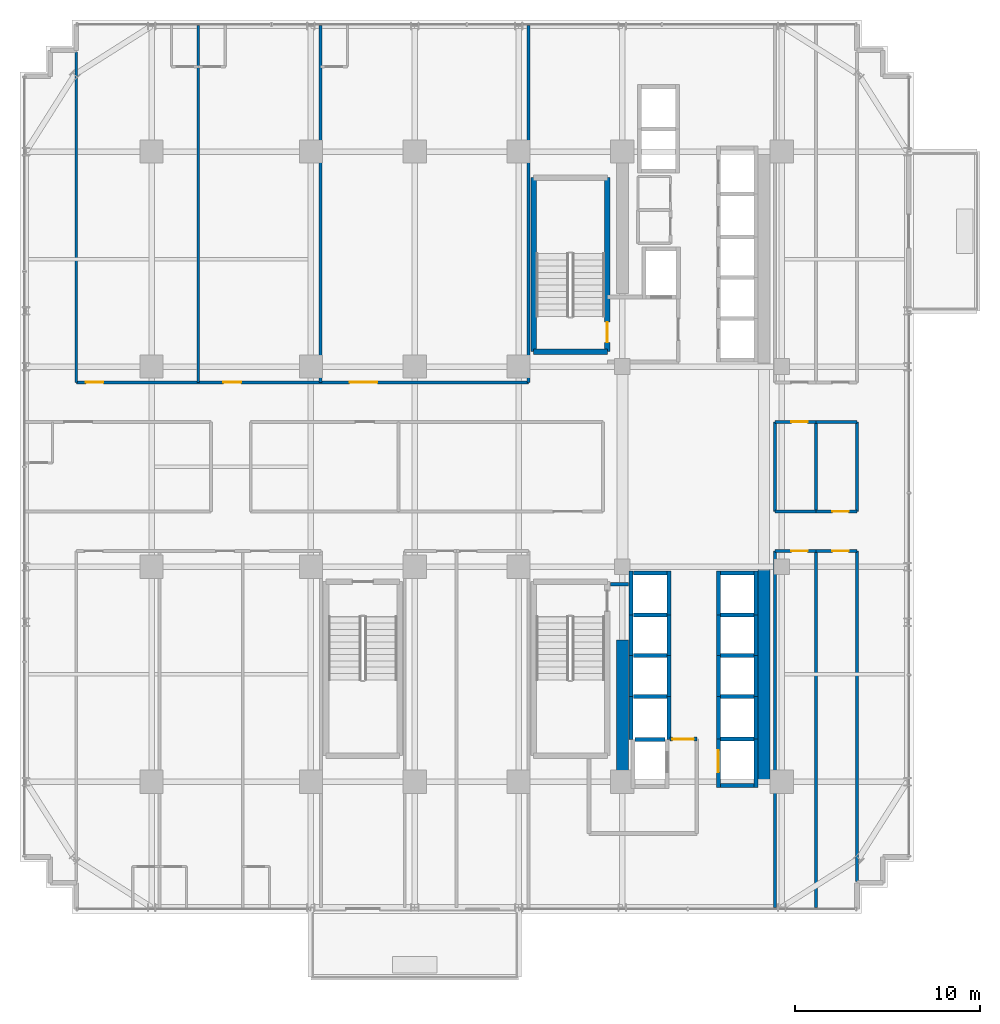
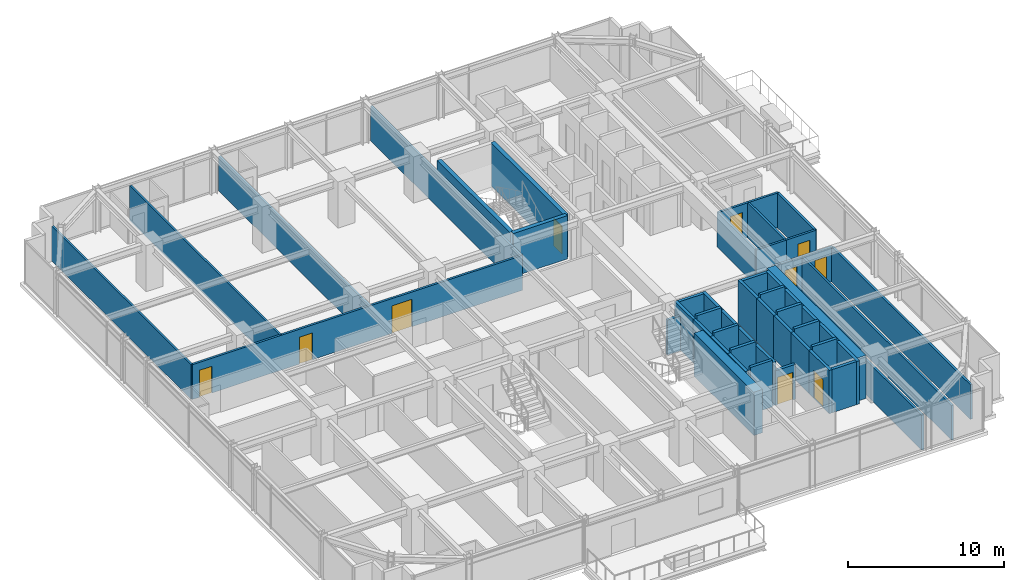
# One storey, part 28 of 33: 53 walls, 10 doors, 10 openings.
"""IFC4 building model written with IfcOpenShell, lengths in metres."""

import ifcopenshell
import ifcopenshell.guid

model = None  # the IFC model being written
_history = None  # IfcOwnerHistory: only IFC2X3 demands one
_inside = {}  # id of a spatial element -> (the spatial element, [elements in it])
_under = {}  # id of a project, library or spatial element -> (it, [spatial elements below it])
_declared = {}  # id of a project -> (the project, [libraries it declares])
_typed = {}  # id of a type object -> (the type object, [elements of that type])
_made_of = {}  # id of a material, layer set ... -> (it, [elements and type objects made of it])


def new_model(schema):
    """Start an empty IFC model of exactly this schema.

    Asked for "IFC4X3", IfcOpenShell would pick the latest addendum, in which some entities
    have other attributes; the version numbers below select the first issue.
    IFC2X3 requires an IfcOwnerHistory on every rooted entity: one is made here for all.
    """
    global model, _history
    if schema == "IFC4X3":
        model = ifcopenshell.file(schema_version=(4, 3, 0, 0))
    else:
        model = ifcopenshell.file(schema=schema)
    _inside.clear()
    _under.clear()
    _declared.clear()
    _typed.clear()
    _made_of.clear()
    _history = None
    if model.schema == "IFC2X3":
        org = make("IfcOrganization", Name="unknown")
        user = make(
            "IfcPersonAndOrganization",
            ThePerson=make("IfcPerson", FamilyName="unknown"),
            TheOrganization=org,
        )
        app = make(
            "IfcApplication",
            ApplicationDeveloper=org,
            Version="unknown",
            ApplicationFullName="unknown",
            ApplicationIdentifier="unknown",
        )
        _history = make(
            "IfcOwnerHistory",
            OwningUser=user,
            OwningApplication=app,
            ChangeAction="ADDED",
            CreationDate=0,
        )
    return model


def make(cls, **values):
    """One entity of the class cls with the attributes given. An attribute that is None is left unset."""
    return model.create_entity(
        cls, **{name: value for name, value in values.items() if value is not None}
    )


def rooted(cls, **values):
    """An entity with a GlobalId (a new one), such as an element, a storey or a relation."""
    return make(cls, GlobalId=ifcopenshell.guid.new(), OwnerHistory=_history, **values)


def si_unit(unit_type, name, prefix=None):
    """IfcSIUnit, for example si_unit("LENGTHUNIT", "METRE", prefix="MILLI")."""
    return make("IfcSIUnit", UnitType=unit_type, Prefix=prefix, Name=name)


def assignment(units):
    """IfcUnitAssignment: the units of a project."""
    return None if units is None else make("IfcUnitAssignment", Units=units)


def point(xyz):
    """IfcCartesianPoint."""
    return None if xyz is None else make("IfcCartesianPoint", Coordinates=xyz)


def direction(xyz):
    """IfcDirection."""
    return None if xyz is None else make("IfcDirection", DirectionRatios=xyz)


def frame(location, z_axis=None, x_axis=None):
    """IfcAxis2Placement3D, a coordinate frame: its origin and axes. An axis left out is left unset."""
    return make(
        "IfcAxis2Placement3D",
        Location=point(location),
        Axis=direction(z_axis),
        RefDirection=direction(x_axis),
    )


def frame_2d(location, x_axis=None):
    """IfcAxis2Placement2D, a coordinate frame in the plane: its origin and x axis."""
    return make(
        "IfcAxis2Placement2D", Location=point(location), RefDirection=direction(x_axis)
    )


def origin():
    """The frame at (0, 0, 0) with its axes left unset."""
    return frame((0.0, 0.0, 0.0))


def place(relative_to, where):
    """IfcLocalPlacement: puts the frame where relative to a parent placement (None: the world)."""
    return make(
        "IfcLocalPlacement", PlacementRelTo=relative_to, RelativePlacement=where
    )


def context(
    kind, dimensions, precision=None, world=None, true_north=None, identifier=None
):
    """IfcGeometricRepresentationContext, for example the 3D "Model" context."""
    return make(
        "IfcGeometricRepresentationContext",
        ContextIdentifier=identifier,
        ContextType=kind,
        CoordinateSpaceDimension=dimensions,
        Precision=precision,
        WorldCoordinateSystem=world,
        TrueNorth=true_north,
    )


def subcontext(parent, identifier, kind, view, scale=None):
    """IfcGeometricRepresentationSubContext, for example "Body" below "Model"."""
    return make(
        "IfcGeometricRepresentationSubContext",
        ContextIdentifier=identifier,
        ContextType=kind,
        ParentContext=parent,
        TargetScale=scale,
        TargetView=view,
    )


def project(units=None, contexts=None):
    """IfcProject with its units and contexts."""
    return rooted(
        "IfcProject",
        Name="project",
        RepresentationContexts=contexts,
        UnitsInContext=assignment(units),
    )


def spatial(cls, under=None, at=None, **own):
    """A site, building, storey or space (cls), placed at a placement, below another one or the project."""
    s = rooted(cls, ObjectPlacement=at, **own)
    if under is not None:
        _under.setdefault(under.id(), (under, []))[1].append(s)
    return s


def profile(cls, at=None, kind="AREA", **sizes):
    """A parametric profile (cls). Its sizes go by their IFC names, for example OverallWidth=200.0."""
    return make(cls, ProfileType=kind, Position=at, **sizes)


def rectangle(**sizes):
    """IfcRectangleProfileDef."""
    return profile("IfcRectangleProfileDef", **sizes)


def extrude(swept, where, along, depth):
    """IfcExtrudedAreaSolid: the profile swept, set in the frame where, extruded along a direction by depth."""
    return make(
        "IfcExtrudedAreaSolid",
        SweptArea=swept,
        Position=where,
        ExtrudedDirection=direction(along),
        Depth=depth,
    )


def shape(context_of_items, identifier, shape_type, items):
    """IfcShapeRepresentation: the items that make up one representation, for example the "Body"."""
    return make(
        "IfcShapeRepresentation",
        ContextOfItems=context_of_items,
        RepresentationIdentifier=identifier,
        RepresentationType=shape_type,
        Items=items,
    )


def source(mapping_origin, context_of_items, identifier, shape_type, items):
    """IfcRepresentationMap: a shape defined once, which mapped items show again and again."""
    return make(
        "IfcRepresentationMap",
        MappingOrigin=mapping_origin,
        MappedRepresentation=shape(context_of_items, identifier, shape_type, items),
    )


def transform(
    local_origin,
    x_axis=None,
    y_axis=None,
    z_axis=None,
    scale=None,
    scale2=None,
    scale3=None,
    uniform=True,
):
    """IfcCartesianTransformationOperator3D, or its non-uniform kind. x_axis, y_axis, z_axis: its Axis1, 2, 3."""
    if uniform:
        return make(
            "IfcCartesianTransformationOperator3D",
            Axis1=direction(x_axis),
            Axis2=direction(y_axis),
            LocalOrigin=point(local_origin),
            Scale=scale,
            Axis3=direction(z_axis),
        )
    return make(
        "IfcCartesianTransformationOperator3DnonUniform",
        Axis1=direction(x_axis),
        Axis2=direction(y_axis),
        LocalOrigin=point(local_origin),
        Scale=scale,
        Axis3=direction(z_axis),
        Scale2=scale2,
        Scale3=scale3,
    )


def mapped(mapping_source, mapping_target):
    """IfcMappedItem: shows the shape of a source again, moved by a transform."""
    return make(
        "IfcMappedItem", MappingSource=mapping_source, MappingTarget=mapping_target
    )


def material(Name=None, Category=None):
    """IfcMaterial."""
    return make("IfcMaterial", Name=Name, Category=Category)


def layer(
    of_material, thickness, ventilated=None, Name=None, Category=None, Priority=None
):
    """IfcMaterialLayer: one layer of a wall or slab, of a material (None: an air gap)."""
    return make(
        "IfcMaterialLayer",
        Material=of_material,
        LayerThickness=thickness,
        IsVentilated=ventilated,
        Name=Name,
        Category=Category,
        Priority=Priority,
    )


def layer_set(layers, Name=None):
    """IfcMaterialLayerSet."""
    return make("IfcMaterialLayerSet", MaterialLayers=layers, LayerSetName=Name)


def made_of(thing, what):
    """Note that an element or type object is made of a material, layer set ...; save() writes the relation."""
    if what is not None:
        _made_of.setdefault(what.id(), (what, []))[1].append(thing)
    return thing


def type_object(cls, material=None, **own):
    """A type object (cls), such as IfcWallType, which elements share."""
    return made_of(rooted(cls, **own), material)


def element(
    cls,
    number,
    at=None,
    inside=None,
    cuts=None,
    type_object=None,
    material=None,
    context=None,
    identifier="Body",
    shape_type=None,
    held_by="IfcProductDefinitionShape",
    body=None,
    shapes=None,
    **own,
):
    """One element of the class cls, such as IfcWall. Its Tag is "e" and its number.

    at: its placement. inside: the storey or other place that contains it. cuts: it is an
    opening in that element (IfcRelVoidsElement). A single representation is given by context,
    identifier, shape_type and body (its items); several are given by shapes. held_by: the class
    of the entity that holds the representations. save() writes the other relations.
    """
    e = rooted(cls, Tag="e%d" % number, ObjectPlacement=at, **own)
    if body is not None:
        shapes = [shape(context, identifier, shape_type, body)]
    if shapes is not None:
        e.Representation = make(held_by, Representations=shapes)
    if inside is not None:
        _inside.setdefault(inside.id(), (inside, []))[1].append(e)
    if cuts is not None:
        rooted(
            "IfcRelVoidsElement", RelatingBuildingElement=cuts, RelatedOpeningElement=e
        )
    if type_object is not None:
        _typed.setdefault(type_object.id(), (type_object, []))[1].append(e)
    return made_of(e, material)


def fill(opening, filler):
    """IfcRelFillsElement: the door or window that sits in an opening."""
    return rooted(
        "IfcRelFillsElement",
        RelatingOpeningElement=opening,
        RelatedBuildingElement=filler,
    )


def aggregate(whole, parts):
    """IfcRelAggregates: a whole, such as a stair, and the parts it consists of."""
    return rooted("IfcRelAggregates", RelatingObject=whole, RelatedObjects=parts)


def save(model, path):
    """Write the relations noted so far, then the file.

    IfcRelAggregates (storeys below a building ...), IfcRelContainedInSpatialStructure (elements
    in a storey), IfcRelDefinesByType, IfcRelAssociatesMaterial and IfcRelDeclares: one each for
    every whole, place, type object, material and project.
    """
    for whole, parts in _under.values():
        aggregate(whole, parts)
    for where, things in _inside.values():
        rooted(
            "IfcRelContainedInSpatialStructure",
            RelatedElements=things,
            RelatingStructure=where,
        )
    for kind, things in _typed.values():
        rooted("IfcRelDefinesByType", RelatedObjects=things, RelatingType=kind)
    for what, things in _made_of.values():
        rooted("IfcRelAssociatesMaterial", RelatedObjects=things, RelatingMaterial=what)
    for by, libraries in _declared.values():
        rooted("IfcRelDeclares", RelatingContext=by, RelatedDefinitions=libraries)
    model.write(path)


model = new_model("IFC4")

# Units and contexts
model_context = context("Model", 3, precision=1e-05, world=origin(), true_north=direction((0.0, 1.0)))
body_context = subcontext(model_context, "Body", "Model", "MODEL_VIEW")
ifc_project = project(units=[si_unit("LENGTHUNIT", "METRE"), si_unit("AREAUNIT", "SQUARE_METRE"), si_unit("VOLUMEUNIT", "CUBIC_METRE"), si_unit("PLANEANGLEUNIT", "RADIAN"), si_unit("MASSUNIT", "GRAM", prefix="KILO")], contexts=[model_context])

# Site, building, storey
site_placement = place(None, origin())
site = spatial("IfcSite", under=ifc_project, at=site_placement, CompositionType="ELEMENT")
building_placement = place(site_placement, origin())
building = spatial("IfcBuilding", under=site, at=building_placement, Name="Nahalor Promenade Grand Hotel", CompositionType="ELEMENT")
storey_placement = place(building_placement, frame((0.0, 0.0, 117.5)))
storey = spatial("IfcBuildingStorey", under=building, at=storey_placement, Name="L29", CompositionType="ELEMENT", Elevation=117.5)

# Walls
ifc_material_1 = material(Name="Concrete B-60 (C50/60)", Category="concrete")
ifc_layer_1 = layer(ifc_material_1, 0.64990234375)
ifc_layer_set_1 = layer_set([ifc_layer_1], Name="Concrete B-60 (C50/60)")
wall_type_1 = type_object("IfcWallType", Name="Wall-CoreShear-650", PredefinedType="SHEAR", material=ifc_layer_set_1)
shared_shape_1 = source(origin(), body_context, "Body", "SweptSolid", [
    extrude(rectangle(XDim=7.64990234375, YDim=0.64990234375, at=frame_2d((3.824951171875, 0.0))), origin(), (0.0, 0.0, 1.0), 3.3798828125),
])
wall_1_placement = place(storey_placement, frame((8.39990234375, -17.0, 0.0), z_axis=(0.0, 0.0, 1.0), x_axis=(0.0, 1.0, 0.0)))
element("IfcWall", 1, at=wall_1_placement, inside=storey, type_object=wall_type_1, Name="CWALL-L29-SW", PredefinedType="SHEAR", context=body_context, shape_type="MappedRepresentation", body=[
    mapped(shared_shape_1, transform((0.0, 0.0, 0.0), scale=1.0)),
])
shared_shape_2 = source(origin(), body_context, "Body", "SweptSolid", [
    extrude(rectangle(XDim=11.60009765625, YDim=0.64990234375, at=frame_2d((5.800048828125, 0.0))), origin(), (0.0, 0.0, 1.0), 3.3798828125),
])
wall_2_placement = place(storey_placement, frame((16.050048828125, -17.0, 0.0), z_axis=(0.0, 0.0, 1.0), x_axis=(0.0, 1.0, 0.0)))
element("IfcWall", 2, at=wall_2_placement, inside=storey, type_object=wall_type_1, Name="CWALL-L29-SE", PredefinedType="SHEAR", context=body_context, shape_type="MappedRepresentation", body=[
    mapped(shared_shape_2, transform((0.0, 0.0, 0.0), scale=1.0)),
])
ifc_material_2 = material(Name="Concrete B-50 (C40/50)", Category="concrete")
ifc_layer_2 = layer(ifc_material_2, 0.300048828125)
ifc_layer_set_2 = layer_set([ifc_layer_2], Name="Concrete B-50 (C40/50)")
wall_type_2 = type_object("IfcWallType", Name="Wall-ShaftShear-300", PredefinedType="SHEAR", material=ifc_layer_set_2)
shared_shape_3 = source(origin(), body_context, "Body", "SweptSolid", [
    extrude(rectangle(XDim=3.97998046875, YDim=0.300048828125, at=frame_2d((1.989990234375, 0.0))), origin(), (0.0, 0.0, 1.0), 3.3798828125),
])
wall_3_placement = place(storey_placement, frame((3.610107421875, 6.2099609375, 0.0), z_axis=(0.0, 0.0, 1.0), x_axis=(1.0, 0.0, 0.0)))
element("IfcWall", 3, at=wall_3_placement, inside=storey, type_object=wall_type_2, Name="L29 Exit Stair ST1 Shaft Wall S", PredefinedType="SHEAR", context=body_context, shape_type="MappedRepresentation", body=[
    mapped(shared_shape_3, transform((0.0, 0.0, 0.0), scale=1.0)),
])
shared_shape_4 = source(origin(), body_context, "Body", "SweptSolid", [
    extrude(rectangle(XDim=9.380126953125, YDim=0.300048828125, at=frame_2d((4.68994140625, 0.0))), origin(), (0.0, 0.0, 1.0), 3.3798828125),
])
wall_4_placement = place(storey_placement, frame((3.610107421875, 6.2099609375, 0.0), z_axis=(0.0, 0.0, 1.0), x_axis=(0.0, 1.0, 0.0)))
element("IfcWall", 4, at=wall_4_placement, inside=storey, type_object=wall_type_2, Name="L29 Exit Stair ST1 Shaft Wall W", PredefinedType="SHEAR", context=body_context, shape_type="MappedRepresentation", body=[
    mapped(shared_shape_4, transform((0.0, 0.0, 0.0), scale=1.0)),
])

# Wall, opening, door
wall_5_placement = place(storey_placement, frame((7.590087890625, 6.2099609375, 0.0), z_axis=(0.0, 0.0, 1.0), x_axis=(0.0, 1.0, 0.0)))
wall_5 = element("IfcWall", 5, at=wall_5_placement, inside=storey, type_object=wall_type_2, Name="L29 Exit Stair ST1 Shaft Wall E", PredefinedType="SHEAR", context=body_context, shape_type="MappedRepresentation", body=[
    mapped(shared_shape_4, transform((0.0, 0.0, 0.0), scale=1.0)),
])
opening_1_placement = place(wall_5_placement, frame((0.489990234375, 0.0, 0.0)))
opening_1 = element("IfcOpeningElement", 6, at=opening_1_placement, cuts=wall_5, Name="Opening D-ST1", PredefinedType="OPENING", context=body_context, shape_type="SweptSolid", body=[
    extrude(rectangle(XDim=1.10009765625, YDim=2.14990234375, at=frame_2d((0.550048828125, 1.074951171875))), frame((0.0, 0.159912109375, 0.0), z_axis=(0.0, -1.0, 0.0), x_axis=(1.0, 0.0, 0.0)), (0.0, 0.0, 1.0), 0.320068359375),
])
ifc_material_3 = material(Name="Steel S355JR", Category="steel")
door_type_1 = type_object("IfcDoorType", Name="Door-StairFire-1100", OperationType="NOTDEFINED", PredefinedType="DOOR", material=ifc_material_3)
shared_shape_5 = source(origin(), body_context, "Body", "SweptSolid", [
    extrude(rectangle(XDim=1.10009765625, YDim=2.14990234375, at=frame_2d((0.550048828125, 1.074951171875))), frame((0.0, 0.02490234375, 0.0), z_axis=(0.0, -1.0, 0.0), x_axis=(1.0, 0.0, 0.0)), (0.0, 0.0, 1.0), 0.050048828125),
])
door_1_placement = place(opening_1_placement, origin())
door_1 = element("IfcDoor", 7, at=door_1_placement, inside=storey, type_object=door_type_1, Name="DR-STAIR-ST1-L29", OperationType="SINGLE_SWING_RIGHT", OverallHeight=2.14990234375, OverallWidth=1.10009765625, PredefinedType="DOOR", context=body_context, shape_type="MappedRepresentation", body=[
    mapped(shared_shape_5, transform((0.0, 0.0, 0.0), scale=1.0)),
])
fill(opening_1, door_1)

# Walls
ifc_layer_3 = layer(ifc_material_2, 0.219970703125)
ifc_layer_set_3 = layer_set([ifc_layer_3], Name="Concrete B-50 (C40/50)")
wall_type_3 = type_object("IfcWallType", Name="Wall-LiftShaft-220", PredefinedType="SHEAR", material=ifc_layer_set_3)
shared_shape_6 = source(origin(), body_context, "Body", "SweptSolid", [
    extrude(rectangle(XDim=1.820068359375, YDim=0.219970703125, at=frame_2d((0.91015625, 0.0))), origin(), (0.0, 0.0, 1.0), 3.64990234375),
])
for number, where, z_axis, x_axis, name in (
    (8, (13.68994140625, -8.0, 0.0), (0.0, 0.0, 1.0), (1.0, 0.0, 0.0), "L29 Lift PL6 Hoistway Wall N"),
    (9, (13.68994140625, -10.199951171875, 0.0), (0.0, 0.0, 1.0), (1.0, 0.0, 0.0), "L29 Lift PL7 Hoistway Wall N"),
    (10, (13.68994140625, -12.39990234375, 0.0), (0.0, 0.0, 1.0), (1.0, 0.0, 0.0), "L29 Lift PL8 Hoistway Wall N"),
    (11, (8.989990234375, -8.0, 0.0), (0.0, 0.0, 1.0), (1.0, 0.0, 0.0), "L29 Lift PL10 Hoistway Wall N"),
    (12, (8.989990234375, -10.199951171875, 0.0), (0.0, 0.0, 1.0), (1.0, 0.0, 0.0), "L29 Lift PL11 Hoistway Wall N"),
    (13, (8.989990234375, -12.39990234375, 0.0), (0.0, 0.0, 1.0), (1.0, 0.0, 0.0), "L29 Lift PL12 Hoistway Wall N"),
    (14, (13.68994140625, -14.699951171875, 0.0), (0.0, 0.0, 1.0), (1.0, 0.0, 0.0), "L29 Lift SV2 Hoistway Wall N"),
):
    element("IfcWall", number, at=place(storey_placement, frame(where, z_axis=z_axis, x_axis=x_axis)), inside=storey, type_object=wall_type_3, Name=name, PredefinedType="SHEAR", context=body_context, shape_type="MappedRepresentation", body=[
        mapped(shared_shape_6, transform((0.0, 0.0, 0.0), scale=1.0)),
    ])
shared_shape_7 = source(origin(), body_context, "Body", "SweptSolid", [
    extrude(rectangle(XDim=2.360107421875, YDim=0.219970703125, at=frame_2d((1.18017578125, 0.0))), origin(), (0.0, 0.0, 1.0), 3.3798828125),
])
for number, where, z_axis, x_axis, name in (
    (15, (13.580078125, -8.0, 0.0), (0.0, 0.0, 1.0), (0.0, 1.0, 0.0), "L29 Lift PL5 Hoistway Wall W"),
    (16, (15.6201171875, -8.0, 0.0), (0.0, 0.0, 1.0), (0.0, 1.0, 0.0), "L29 Lift PL5 Hoistway Wall E"),
    (17, (8.8798828125, -8.0, 0.0), (0.0, 0.0, 1.0), (0.0, 1.0, 0.0), "L29 Lift PL9 Hoistway Wall W"),
    (18, (10.919921875, -8.0, 0.0), (0.0, 0.0, 1.0), (0.0, 1.0, 0.0), "L29 Lift PL9 Hoistway Wall E"),
):
    element("IfcWall", number, at=place(storey_placement, frame(where, z_axis=z_axis, x_axis=x_axis)), inside=storey, type_object=wall_type_3, Name=name, PredefinedType="SHEAR", context=body_context, shape_type="MappedRepresentation", body=[
        mapped(shared_shape_7, transform((0.0, 0.0, 0.0), scale=1.0)),
    ])
shared_shape_8 = source(origin(), body_context, "Body", "SweptSolid", [
    extrude(rectangle(XDim=1.820068359375, YDim=0.219970703125, at=frame_2d((0.91015625, 0.0))), origin(), (0.0, 0.0, 1.0), 3.3798828125),
])
for number, where, z_axis, x_axis, name in (
    (19, (13.68994140625, -5.75, 0.0), (0.0, 0.0, 1.0), (1.0, 0.0, 0.0), "L29 Lift PL5 Hoistway Wall N"),
    (20, (8.989990234375, -5.75, 0.0), (0.0, 0.0, 1.0), (1.0, 0.0, 0.0), "L29 Lift PL9 Hoistway Wall N"),
    (21, (13.68994140625, -17.199951171875, 0.0), (0.0, 0.0, 1.0), (1.0, 0.0, 0.0), "L29 Lift SV2 Hoistway Wall S"),
):
    element("IfcWall", number, at=place(storey_placement, frame(where, z_axis=z_axis, x_axis=x_axis)), inside=storey, type_object=wall_type_3, Name=name, PredefinedType="SHEAR", context=body_context, shape_type="MappedRepresentation", body=[
        mapped(shared_shape_8, transform((0.0, 0.0, 0.0), scale=1.0)),
    ])
shared_shape_9 = source(origin(), body_context, "Body", "SweptSolid", [
    extrude(rectangle(XDim=2.199951171875, YDim=0.219970703125, at=frame_2d((1.10009765625, 0.0))), origin(), (0.0, 0.0, 1.0), 3.3798828125),
])
for number, where, z_axis, x_axis, name in (
    (22, (13.580078125, -10.199951171875, 0.0), (0.0, 0.0, 1.0), (0.0, 1.0, 0.0), "L29 Lift PL6 Hoistway Wall W"),
    (23, (15.6201171875, -10.199951171875, 0.0), (0.0, 0.0, 1.0), (0.0, 1.0, 0.0), "L29 Lift PL6 Hoistway Wall E"),
    (24, (13.580078125, -12.39990234375, 0.0), (0.0, 0.0, 1.0), (0.0, 1.0, 0.0), "L29 Lift PL7 Hoistway Wall W"),
    (25, (15.6201171875, -12.39990234375, 0.0), (0.0, 0.0, 1.0), (0.0, 1.0, 0.0), "L29 Lift PL7 Hoistway Wall E"),
    (26, (8.8798828125, -10.199951171875, 0.0), (0.0, 0.0, 1.0), (0.0, 1.0, 0.0), "L29 Lift PL10 Hoistway Wall W"),
    (27, (10.919921875, -10.199951171875, 0.0), (0.0, 0.0, 1.0), (0.0, 1.0, 0.0), "L29 Lift PL10 Hoistway Wall E"),
    (28, (8.8798828125, -12.39990234375, 0.0), (0.0, 0.0, 1.0), (0.0, 1.0, 0.0), "L29 Lift PL11 Hoistway Wall W"),
    (29, (10.919921875, -12.39990234375, 0.0), (0.0, 0.0, 1.0), (0.0, 1.0, 0.0), "L29 Lift PL11 Hoistway Wall E"),
):
    element("IfcWall", number, at=place(storey_placement, frame(where, z_axis=z_axis, x_axis=x_axis)), inside=storey, type_object=wall_type_3, Name=name, PredefinedType="SHEAR", context=body_context, shape_type="MappedRepresentation", body=[
        mapped(shared_shape_9, transform((0.0, 0.0, 0.0), scale=1.0)),
    ])
shared_shape_10 = source(origin(), body_context, "Body", "SweptSolid", [
    extrude(rectangle(XDim=2.300048828125, YDim=0.219970703125, at=frame_2d((1.14990234375, 0.0))), origin(), (0.0, 0.0, 1.0), 3.3798828125),
])
for number, where, z_axis, x_axis, name in (
    (30, (13.580078125, -14.699951171875, 0.0), (0.0, 0.0, 1.0), (0.0, 1.0, 0.0), "L29 Lift PL8 Hoistway Wall W"),
    (31, (15.6201171875, -14.699951171875, 0.0), (0.0, 0.0, 1.0), (0.0, 1.0, 0.0), "L29 Lift PL8 Hoistway Wall E"),
):
    element("IfcWall", number, at=place(storey_placement, frame(where, z_axis=z_axis, x_axis=x_axis)), inside=storey, type_object=wall_type_3, Name=name, PredefinedType="SHEAR", context=body_context, shape_type="MappedRepresentation", body=[
        mapped(shared_shape_10, transform((0.0, 0.0, 0.0), scale=1.0)),
    ])
shared_shape_11 = source(origin(), body_context, "Body", "SweptSolid", [
    extrude(rectangle(XDim=2.3251953125, YDim=0.219970703125, at=frame_2d((1.16259765625, 0.0))), origin(), (0.0, 0.0, 1.0), 3.3798828125),
])
for number, where, z_axis, x_axis, name in (
    (32, (8.8798828125, -14.72509765625, 0.0), (0.0, 0.0, 1.0), (0.0, 1.0, 0.0), "L29 Lift PL12 Hoistway Wall W"),
    (33, (10.919921875, -14.72509765625, 0.0), (0.0, 0.0, 1.0), (0.0, 1.0, 0.0), "L29 Lift PL12 Hoistway Wall E"),
):
    element("IfcWall", number, at=place(storey_placement, frame(where, z_axis=z_axis, x_axis=x_axis)), inside=storey, type_object=wall_type_3, Name=name, PredefinedType="SHEAR", context=body_context, shape_type="MappedRepresentation", body=[
        mapped(shared_shape_11, transform((0.0, 0.0, 0.0), scale=1.0)),
    ])
shared_shape_12 = source(origin(), body_context, "Body", "SweptSolid", [
    extrude(rectangle(XDim=1.619873046875, YDim=0.219970703125, at=frame_2d((0.81005859375, 0.0))), origin(), (0.0, 0.0, 1.0), 3.64990234375),
])
wall_6_placement = place(storey_placement, frame((9.090087890625, -14.72509765625, 0.0), z_axis=(0.0, 0.0, 1.0), x_axis=(1.0, 0.0, 0.0)))
element("IfcWall", 34, at=wall_6_placement, inside=storey, type_object=wall_type_3, Name="L29 Lift FL2 Hoistway Wall N", PredefinedType="SHEAR", context=body_context, shape_type="MappedRepresentation", body=[
    mapped(shared_shape_12, transform((0.0, 0.0, 0.0), scale=1.0)),
])

# Wall, opening, door
shared_shape_13 = source(origin(), body_context, "Body", "SweptSolid", [
    extrude(rectangle(XDim=2.610107421875, YDim=0.219970703125, at=frame_2d((1.30517578125, 0.0))), origin(), (0.0, 0.0, 1.0), 3.3798828125),
])
wall_7_placement = place(storey_placement, frame((13.580078125, -17.31005859375, 0.0), z_axis=(0.0, 0.0, 1.0), x_axis=(0.0, 1.0, 0.0)))
wall_7 = element("IfcWall", 35, at=wall_7_placement, inside=storey, type_object=wall_type_3, Name="L29 Lift SV2 Hoistway Wall W", PredefinedType="SHEAR", context=body_context, shape_type="MappedRepresentation", body=[
    mapped(shared_shape_13, transform((0.0, 0.0, 0.0), scale=1.0)),
])
opening_2_placement = place(wall_7_placement, frame((0.81005859375, 0.0, 0.0)))
opening_2 = element("IfcOpeningElement", 36, at=opening_2_placement, cuts=wall_7, Name="Opening LD-03", PredefinedType="OPENING", context=body_context, shape_type="SweptSolid", body=[
    extrude(rectangle(XDim=1.199951171875, YDim=2.199951171875, at=frame_2d((0.60009765625, 1.10009765625))), frame((0.0, 0.119873046875, 0.0), z_axis=(0.0, -1.0, 0.0), x_axis=(1.0, 0.0, 0.0)), (0.0, 0.0, 1.0), 0.239990234375),
])
door_type_2 = type_object("IfcDoorType", Name="Door-LiftService-1200", OperationType="DOUBLE_DOOR_SLIDING", PredefinedType="DOOR", material=ifc_material_3)
shared_shape_14 = source(origin(), body_context, "Body", "SweptSolid", [
    extrude(rectangle(XDim=1.199951171875, YDim=2.199951171875, at=frame_2d((0.60009765625, 1.10009765625))), frame((0.0, 0.02490234375, 0.0), z_axis=(0.0, -1.0, 0.0), x_axis=(1.0, 0.0, 0.0)), (0.0, 0.0, 1.0), 0.050048828125),
])
door_2_placement = place(opening_2_placement, origin())
door_2 = element("IfcDoor", 37, at=door_2_placement, inside=storey, type_object=door_type_2, Name="DR-LIFT-SV2-L29", OperationType="DOUBLE_DOOR_SLIDING", OverallHeight=2.199951171875, OverallWidth=1.199951171875, PredefinedType="DOOR", context=body_context, shape_type="MappedRepresentation", body=[
    mapped(shared_shape_14, transform((0.0, 0.0, 0.0), scale=1.0)),
])
fill(opening_2, door_2)

# Wall
wall_8_placement = place(storey_placement, frame((15.6201171875, -17.31005859375, 0.0), z_axis=(0.0, 0.0, 1.0), x_axis=(0.0, 1.0, 0.0)))
element("IfcWall", 38, at=wall_8_placement, inside=storey, type_object=wall_type_3, Name="L29 Lift SV2 Hoistway Wall E", PredefinedType="SHEAR", context=body_context, shape_type="MappedRepresentation", body=[
    mapped(shared_shape_13, transform((0.0, 0.0, 0.0), scale=1.0)),
])

# Wall, opening, door
ifc_material_4 = material(Name="Concrete B-40 (C32/40)", Category="concrete")
ifc_layer_4 = layer(ifc_material_4, 0.199951171875)
ifc_layer_set_4 = layer_set([ifc_layer_4], Name="Concrete B-40 (C32/40)")
wall_type_4 = type_object("IfcWallType", Name="Wall-PartFire-200", PredefinedType="PARTITIONING", material=ifc_layer_set_4)
shared_shape_15 = source(origin(), body_context, "Body", "SweptSolid", [
    extrude(rectangle(XDim=1.4599609375, YDim=0.199951171875, at=frame_2d((0.72998046875, 0.0))), origin(), (0.0, 0.0, 1.0), 2.719970703125),
])
wall_9_placement = place(storey_placement, frame((10.9599609375, -14.699951171875, 0.0), z_axis=(0.0, 0.0, 1.0), x_axis=(1.0, 0.0, 0.0)))
wall_9 = element("IfcWall", 39, at=wall_9_placement, inside=storey, type_object=wall_type_4, Name="W-L29-FF2-N1", PredefinedType="PARTITIONING", context=body_context, shape_type="MappedRepresentation", body=[
    mapped(shared_shape_15, transform((0.0, 0.0, 0.0), scale=1.0)),
])
opening_3_placement = place(wall_9_placement, frame((0.14501953125, 0.0, 0.0)))
opening_3 = element("IfcOpeningElement", 40, at=opening_3_placement, cuts=wall_9, Name="Opening D-FF1", PredefinedType="OPENING", context=body_context, shape_type="SweptSolid", body=[
    extrude(rectangle(XDim=1.14990234375, YDim=2.14990234375, at=frame_2d((0.574951171875, 1.074951171875))), frame((0.0, 0.10986328125, 0.0), z_axis=(0.0, -1.0, 0.0), x_axis=(1.0, 0.0, 0.0)), (0.0, 0.0, 1.0), 0.219970703125),
])
door_type_3 = type_object("IfcDoorType", Name="Door-FFLobby-1150", OperationType="NOTDEFINED", PredefinedType="DOOR", material=ifc_material_3)
shared_shape_16 = source(origin(), body_context, "Body", "SweptSolid", [
    extrude(rectangle(XDim=1.14990234375, YDim=2.14990234375, at=frame_2d((0.574951171875, 1.074951171875))), frame((0.0, 0.02490234375, 0.0), z_axis=(0.0, -1.0, 0.0), x_axis=(1.0, 0.0, 0.0)), (0.0, 0.0, 1.0), 0.050048828125),
])
door_3_placement = place(opening_3_placement, origin())
door_3 = element("IfcDoor", 41, at=door_3_placement, inside=storey, type_object=door_type_3, Name="DR-L29-FFL2", OperationType="SINGLE_SWING_LEFT", OverallHeight=2.14990234375, OverallWidth=1.14990234375, PredefinedType="DOOR", context=body_context, shape_type="MappedRepresentation", body=[
    mapped(shared_shape_16, transform((0.0, 0.0, 0.0), scale=1.0)),
])
fill(opening_3, door_3)

# Walls
shared_shape_17 = source(origin(), body_context, "Body", "SweptSolid", [
    extrude(rectangle(XDim=0.969970703125, YDim=0.199951171875, at=frame_2d((0.48486328125, 0.0))), origin(), (0.0, 0.0, 1.0), 2.719970703125),
])
wall_10_placement = place(storey_placement, frame((7.77001953125, -6.35009765625, 0.0), z_axis=(0.0, 0.0, 1.0), x_axis=(1.0, 0.0, 0.0)))
element("IfcWall", 42, at=wall_10_placement, inside=storey, type_object=wall_type_4, Name="W-L29-FF2-N2", PredefinedType="PARTITIONING", context=body_context, shape_type="MappedRepresentation", body=[
    mapped(shared_shape_17, transform((0.0, 0.0, 0.0), scale=1.0)),
])
ifc_material_5 = material(Name="Acoustic Mineral Gypsum", Category="gypsum")
ifc_layer_5 = layer(ifc_material_5, 0.159912109375)
ifc_layer_set_5 = layer_set([ifc_layer_5], Name="Acoustic Mineral Gypsum")
wall_type_5 = type_object("IfcWallType", Name="Wall-PartCorridor-160", PredefinedType="PARTITIONING", material=ifc_layer_set_5)
shared_shape_18 = source(origin(), body_context, "Body", "SweptSolid", [
    extrude(rectangle(XDim=19.25, YDim=0.159912109375, at=frame_2d((9.625, 0.0))), origin(), (0.0, 0.0, 1.0), 2.719970703125),
])
for number, where, z_axis, x_axis, name in (
    (43, (16.64990234375, -23.800048828125, 0.0), (0.0, 0.0, 1.0), (0.0, 1.0, 0.0), "W-L29-ESE1-W"),
    (44, (18.85498046875, -23.800048828125, 0.0), (0.0, 0.0, 1.0), (0.0, 1.0, 0.0), "W-L29-ESE1-E"),
):
    element("IfcWall", number, at=place(storey_placement, frame(where, z_axis=z_axis, x_axis=x_axis)), inside=storey, type_object=wall_type_5, Name=name, PredefinedType="PARTITIONING", context=body_context, shape_type="MappedRepresentation", body=[
        mapped(shared_shape_18, transform((0.0, 0.0, 0.0), scale=1.0)),
    ])
shared_shape_19 = source(origin(), body_context, "Body", "SweptSolid", [
    extrude(rectangle(XDim=17.829833984375, YDim=0.159912109375, at=frame_2d((8.9150390625, 0.0))), origin(), (0.0, 0.0, 1.0), 2.719970703125),
])
wall_11_placement = place(storey_placement, frame((21.06005859375, -22.3798828125, 0.0), z_axis=(0.0, 0.0, 1.0), x_axis=(0.0, 1.0, 0.0)))
element("IfcWall", 45, at=wall_11_placement, inside=storey, type_object=wall_type_5, Name="W-L29-ESE2-E", PredefinedType="PARTITIONING", context=body_context, shape_type="MappedRepresentation", body=[
    mapped(shared_shape_19, transform((0.0, 0.0, 0.0), scale=1.0)),
])

# Wall, openings, doors
shared_shape_20 = source(origin(), body_context, "Body", "SweptSolid", [
    extrude(rectangle(XDim=24.400146484375, YDim=0.159912109375, at=frame_2d((12.2001953125, 0.0))), origin(), (0.0, 0.0, 1.0), 2.719970703125),
])
wall_12_placement = place(storey_placement, frame((-21.06005859375, 4.550048828125, 0.0), z_axis=(0.0, 0.0, 1.0), x_axis=(1.0, 0.0, 0.0)))
wall_12 = element("IfcWall", 46, at=wall_12_placement, inside=storey, type_object=wall_type_5, Name="W-L29-CORR-N", PredefinedType="PARTITIONING", context=body_context, shape_type="MappedRepresentation", body=[
    mapped(shared_shape_20, transform((0.0, 0.0, 0.0), scale=1.0)),
])
opening_4_placement = place(wall_12_placement, frame((0.510009765625, 0.0, 0.0)))
opening_4 = element("IfcOpeningElement", 47, at=opening_4_placement, cuts=wall_12, Name="Opening D-01", PredefinedType="OPENING", context=body_context, shape_type="SweptSolid", body=[
    extrude(rectangle(XDim=0.949951171875, YDim=2.10009765625, at=frame_2d((0.47509765625, 1.050048828125))), frame((0.0, 0.08984375, 0.0), z_axis=(0.0, -1.0, 0.0), x_axis=(1.0, 0.0, 0.0)), (0.0, 0.0, 1.0), 0.179931640625),
])
opening_5_placement = place(wall_12_placement, frame((7.93798828125, 0.0, 0.0)))
opening_5 = element("IfcOpeningElement", 48, at=opening_5_placement, cuts=wall_12, Name="Opening D-01", PredefinedType="OPENING", context=body_context, shape_type="SweptSolid", body=[
    extrude(rectangle(XDim=0.949951171875, YDim=2.10009765625, at=frame_2d((0.47509765625, 1.050048828125))), frame((0.0, 0.08984375, 0.0), z_axis=(0.0, -1.0, 0.0), x_axis=(1.0, 0.0, 0.0)), (0.0, 0.0, 1.0), 0.179931640625),
])
opening_6_placement = place(wall_12_placement, frame((14.74609375, 0.0, 0.0)))
opening_6 = element("IfcOpeningElement", 49, at=opening_6_placement, cuts=wall_12, Name="Opening D-02", PredefinedType="OPENING", context=body_context, shape_type="SweptSolid", body=[
    extrude(rectangle(XDim=1.5, YDim=2.14990234375, at=frame_2d((0.75, 1.074951171875))), frame((0.0, 0.08984375, 0.0), z_axis=(0.0, -1.0, 0.0), x_axis=(1.0, 0.0, 0.0)), (0.0, 0.0, 1.0), 0.179931640625),
])
ifc_material_6 = material(Name="Fire-Rated Timber Composite", Category="wood")
door_type_4 = type_object("IfcDoorType", Name="Door-SuiteDouble-1500", OperationType="DOUBLE_DOOR_SINGLE_SWING", PredefinedType="DOOR", material=ifc_material_6)
shared_shape_21 = source(origin(), body_context, "Body", "SweptSolid", [
    extrude(rectangle(XDim=1.5, YDim=2.14990234375, at=frame_2d((0.75, 1.074951171875))), frame((0.0, 0.02490234375, 0.0), z_axis=(0.0, -1.0, 0.0), x_axis=(1.0, 0.0, 0.0)), (0.0, 0.0, 1.0), 0.050048828125),
])
door_4_placement = place(opening_6_placement, origin())
door_4 = element("IfcDoor", 50, at=door_4_placement, inside=storey, type_object=door_type_4, Name="DR-L29-N3-ENT", OperationType="DOUBLE_DOOR_SINGLE_SWING", OverallHeight=2.14990234375, OverallWidth=1.5, PredefinedType="DOOR", context=body_context, shape_type="MappedRepresentation", body=[
    mapped(shared_shape_21, transform((0.0, 0.0, 0.0), scale=1.0)),
])
fill(opening_6, door_4)
door_type_5 = type_object("IfcDoorType", Name="Door-GuestEntry-950", OperationType="NOTDEFINED", PredefinedType="DOOR", material=ifc_material_6)
shared_shape_22 = source(origin(), body_context, "Body", "SweptSolid", [
    extrude(rectangle(XDim=0.949951171875, YDim=2.10009765625, at=frame_2d((0.47509765625, 1.050048828125))), frame((0.0, 0.02490234375, 0.0), z_axis=(0.0, -1.0, 0.0), x_axis=(1.0, 0.0, 0.0)), (0.0, 0.0, 1.0), 0.050048828125),
])
door_5_placement = place(opening_4_placement, origin())
door_5 = element("IfcDoor", 51, at=door_5_placement, inside=storey, type_object=door_type_5, Name="DR-L29-N1-ENT", OperationType="SINGLE_SWING_LEFT", OverallHeight=2.10009765625, OverallWidth=0.949951171875, PredefinedType="DOOR", context=body_context, shape_type="MappedRepresentation", body=[
    mapped(shared_shape_22, transform((0.0, 0.0, 0.0), scale=1.0)),
])
fill(opening_4, door_5)
door_6_placement = place(opening_5_placement, origin())
door_6 = element("IfcDoor", 52, at=door_6_placement, inside=storey, type_object=door_type_5, Name="DR-L29-N2-ENT", OperationType="SINGLE_SWING_LEFT", OverallHeight=2.10009765625, OverallWidth=0.949951171875, PredefinedType="DOOR", context=body_context, shape_type="MappedRepresentation", body=[
    mapped(shared_shape_22, transform((0.0, 0.0, 0.0), scale=1.0)),
])
fill(opening_5, door_6)

# Walls
ifc_layer_6 = layer(ifc_material_5, 0.139892578125)
ifc_layer_set_6 = layer_set([ifc_layer_6], Name="Acoustic Mineral Gypsum")
wall_type_6 = type_object("IfcWallType", Name="Wall-PartSuite-140", PredefinedType="PARTITIONING", material=ifc_layer_set_6)
shared_shape_23 = source(origin(), body_context, "Body", "SweptSolid", [
    extrude(rectangle(XDim=17.829833984375, YDim=0.139892578125, at=frame_2d((8.9150390625, 0.0))), origin(), (0.0, 0.0, 1.0), 2.719970703125),
])
wall_13_placement = place(storey_placement, frame((-21.06005859375, 4.550048828125, 0.0), z_axis=(0.0, 0.0, 1.0), x_axis=(0.0, 1.0, 0.0)))
element("IfcWall", 53, at=wall_13_placement, inside=storey, type_object=wall_type_6, Name="W-L29-NW-ENDW", PredefinedType="PARTITIONING", context=body_context, shape_type="MappedRepresentation", body=[
    mapped(shared_shape_23, transform((0.0, 0.0, 0.0), scale=1.0)),
])
shared_shape_24 = source(origin(), body_context, "Body", "SweptSolid", [
    extrude(rectangle(XDim=19.25, YDim=0.139892578125, at=frame_2d((9.625, 0.0))), origin(), (0.0, 0.0, 1.0), 2.719970703125),
])
for number, where, z_axis, x_axis, name in (
    (54, (3.340087890625, 4.550048828125, 0.0), (0.0, 0.0, 1.0), (0.0, 1.0, 0.0), "W-L29-NW-ENDE"),
    (55, (-14.471923828125, 4.550048828125, 0.0), (0.0, 0.0, 1.0), (0.0, 1.0, 0.0), "W-L29-NP-1"),
    (56, (-7.884033203125, 4.550048828125, 0.0), (0.0, 0.0, 1.0), (0.0, 1.0, 0.0), "W-L29-NP-2"),
):
    element("IfcWall", number, at=place(storey_placement, frame(where, z_axis=z_axis, x_axis=x_axis)), inside=storey, type_object=wall_type_6, Name=name, PredefinedType="PARTITIONING", context=body_context, shape_type="MappedRepresentation", body=[
        mapped(shared_shape_24, transform((0.0, 0.0, 0.0), scale=1.0)),
    ])
shared_shape_25 = source(origin(), body_context, "Body", "SweptSolid", [
    extrude(rectangle(XDim=4.83984375, YDim=0.159912109375, at=frame_2d((2.419921875, 0.0))), origin(), (0.0, 0.0, 1.0), 2.719970703125),
])
for number, where, z_axis, x_axis, name in (
    (57, (16.64990234375, -2.419921875, 0.0), (0.0, 0.0, 1.0), (0.0, 1.0, 0.0), "W-L29-ECW1-W"),
    (58, (18.85498046875, -2.419921875, 0.0), (0.0, 0.0, 1.0), (0.0, 1.0, 0.0), "W-L29-ECW1-E"),
    (59, (21.06005859375, -2.419921875, 0.0), (0.0, 0.0, 1.0), (0.0, 1.0, 0.0), "W-L29-ECW2-E"),
):
    element("IfcWall", number, at=place(storey_placement, frame(where, z_axis=z_axis, x_axis=x_axis)), inside=storey, type_object=wall_type_5, Name=name, PredefinedType="PARTITIONING", context=body_context, shape_type="MappedRepresentation", body=[
        mapped(shared_shape_25, transform((0.0, 0.0, 0.0), scale=1.0)),
    ])

# Wall, opening, door
shared_shape_26 = source(origin(), body_context, "Body", "SweptSolid", [
    extrude(rectangle(XDim=2.205078125, YDim=0.159912109375, at=frame_2d((1.1025390625, 0.0))), origin(), (0.0, 0.0, 1.0), 2.719970703125),
])
wall_14_placement = place(storey_placement, frame((16.64990234375, -4.550048828125, 0.0), z_axis=(0.0, 0.0, 1.0), x_axis=(1.0, 0.0, 0.0)))
wall_14 = element("IfcWall", 60, at=wall_14_placement, inside=storey, type_object=wall_type_5, Name="W-L29-ESE1-N", PredefinedType="PARTITIONING", context=body_context, shape_type="MappedRepresentation", body=[
    mapped(shared_shape_26, transform((0.0, 0.0, 0.0), scale=1.0)),
])
opening_7_placement = place(wall_14_placement, frame((0.875, 0.0, 0.0)))
opening_7 = element("IfcOpeningElement", 61, at=opening_7_placement, cuts=wall_14, Name="Opening D-03", PredefinedType="OPENING", context=body_context, shape_type="SweptSolid", body=[
    extrude(rectangle(XDim=0.8798828125, YDim=2.10009765625, at=frame_2d((0.43994140625, 1.050048828125))), frame((0.0, 0.08984375, 0.0), z_axis=(0.0, -1.0, 0.0), x_axis=(1.0, 0.0, 0.0)), (0.0, 0.0, 1.0), 0.179931640625),
])
door_type_6 = type_object("IfcDoorType", Name="Door-BathSwing-880", OperationType="NOTDEFINED", PredefinedType="DOOR", material=ifc_material_6)
shared_shape_27 = source(origin(), body_context, "Body", "SweptSolid", [
    extrude(rectangle(XDim=0.8798828125, YDim=2.10009765625, at=frame_2d((0.43994140625, 1.050048828125))), frame((0.0, 0.02490234375, 0.0), z_axis=(0.0, -1.0, 0.0), x_axis=(1.0, 0.0, 0.0)), (0.0, 0.0, 1.0), 0.050048828125),
])
door_7_placement = place(opening_7_placement, frame((0.8798828125, 0.0, 0.0), z_axis=(0.0, 0.0, 1.0), x_axis=(-1.0, 0.0, 0.0)))
door_7 = element("IfcDoor", 62, at=door_7_placement, inside=storey, type_object=door_type_6, Name="DR-L29-ESE1", OperationType="SINGLE_SWING_RIGHT", OverallHeight=2.10009765625, OverallWidth=0.8798828125, PredefinedType="DOOR", context=body_context, shape_type="MappedRepresentation", body=[
    mapped(shared_shape_27, transform((0.0, 0.0, 0.0), scale=1.0)),
])
fill(opening_7, door_7)

wall_15_placement = place(storey_placement, frame((18.85498046875, -4.550048828125, 0.0), z_axis=(0.0, 0.0, 1.0), x_axis=(1.0, 0.0, 0.0)))
wall_15 = element("IfcWall", 63, at=wall_15_placement, inside=storey, type_object=wall_type_5, Name="W-L29-ESE2-N", PredefinedType="PARTITIONING", context=body_context, shape_type="MappedRepresentation", body=[
    mapped(shared_shape_26, transform((0.0, 0.0, 0.0), scale=1.0)),
])
opening_8_placement = place(wall_15_placement, frame((0.875, 0.0, 0.0)))
opening_8 = element("IfcOpeningElement", 64, at=opening_8_placement, cuts=wall_15, Name="Opening D-03", PredefinedType="OPENING", context=body_context, shape_type="SweptSolid", body=[
    extrude(rectangle(XDim=0.8798828125, YDim=2.10009765625, at=frame_2d((0.43994140625, 1.050048828125))), frame((0.0, 0.08984375, 0.0), z_axis=(0.0, -1.0, 0.0), x_axis=(1.0, 0.0, 0.0)), (0.0, 0.0, 1.0), 0.179931640625),
])
door_8_placement = place(opening_8_placement, frame((0.8798828125, 0.0, 0.0), z_axis=(0.0, 0.0, 1.0), x_axis=(-1.0, 0.0, 0.0)))
door_8 = element("IfcDoor", 65, at=door_8_placement, inside=storey, type_object=door_type_6, Name="DR-L29-ESE2", OperationType="SINGLE_SWING_LEFT", OverallHeight=2.10009765625, OverallWidth=0.8798828125, PredefinedType="DOOR", context=body_context, shape_type="MappedRepresentation", body=[
    mapped(shared_shape_27, transform((0.0, 0.0, 0.0), scale=1.0)),
])
fill(opening_8, door_8)

# Wall
wall_16_placement = place(storey_placement, frame((16.64990234375, -2.419921875, 0.0), z_axis=(0.0, 0.0, 1.0), x_axis=(1.0, 0.0, 0.0)))
element("IfcWall", 66, at=wall_16_placement, inside=storey, type_object=wall_type_5, Name="W-L29-ECW1-S", PredefinedType="PARTITIONING", context=body_context, shape_type="MappedRepresentation", body=[
    mapped(shared_shape_26, transform((0.0, 0.0, 0.0), scale=1.0)),
])

# Wall, opening, door
wall_17_placement = place(storey_placement, frame((16.64990234375, 2.419921875, 0.0), z_axis=(0.0, 0.0, 1.0), x_axis=(1.0, 0.0, 0.0)))
wall_17 = element("IfcWall", 67, at=wall_17_placement, inside=storey, type_object=wall_type_5, Name="W-L29-ECW1-N", PredefinedType="PARTITIONING", context=body_context, shape_type="MappedRepresentation", body=[
    mapped(shared_shape_26, transform((0.0, 0.0, 0.0), scale=1.0)),
])
opening_9_placement = place(wall_17_placement, frame((0.875, 0.0, 0.0)))
opening_9 = element("IfcOpeningElement", 68, at=opening_9_placement, cuts=wall_17, Name="Opening D-03", PredefinedType="OPENING", context=body_context, shape_type="SweptSolid", body=[
    extrude(rectangle(XDim=0.8798828125, YDim=2.10009765625, at=frame_2d((0.43994140625, 1.050048828125))), frame((0.0, 0.08984375, 0.0), z_axis=(0.0, -1.0, 0.0), x_axis=(1.0, 0.0, 0.0)), (0.0, 0.0, 1.0), 0.179931640625),
])
door_9_placement = place(opening_9_placement, frame((0.8798828125, 0.0, 0.0), z_axis=(0.0, 0.0, 1.0), x_axis=(-1.0, 0.0, 0.0)))
door_9 = element("IfcDoor", 69, at=door_9_placement, inside=storey, type_object=door_type_6, Name="DR-L29-ECW1", OperationType="SINGLE_SWING_LEFT", OverallHeight=2.10009765625, OverallWidth=0.8798828125, PredefinedType="DOOR", context=body_context, shape_type="MappedRepresentation", body=[
    mapped(shared_shape_27, transform((0.0, 0.0, 0.0), scale=1.0)),
])
fill(opening_9, door_9)

wall_18_placement = place(storey_placement, frame((18.85498046875, -2.419921875, 0.0), z_axis=(0.0, 0.0, 1.0), x_axis=(1.0, 0.0, 0.0)))
wall_18 = element("IfcWall", 70, at=wall_18_placement, inside=storey, type_object=wall_type_5, Name="W-L29-ECW2-S", PredefinedType="PARTITIONING", context=body_context, shape_type="MappedRepresentation", body=[
    mapped(shared_shape_26, transform((0.0, 0.0, 0.0), scale=1.0)),
])
opening_10_placement = place(wall_18_placement, frame((0.875, 0.0, 0.0)))
opening_10 = element("IfcOpeningElement", 71, at=opening_10_placement, cuts=wall_18, Name="Opening D-03", PredefinedType="OPENING", context=body_context, shape_type="SweptSolid", body=[
    extrude(rectangle(XDim=0.8798828125, YDim=2.10009765625, at=frame_2d((0.43994140625, 1.050048828125))), frame((0.0, 0.08984375, 0.0), z_axis=(0.0, -1.0, 0.0), x_axis=(1.0, 0.0, 0.0)), (0.0, 0.0, 1.0), 0.179931640625),
])
door_10_placement = place(opening_10_placement, origin())
door_10 = element("IfcDoor", 72, at=door_10_placement, inside=storey, type_object=door_type_6, Name="DR-L29-ECW2", OperationType="SINGLE_SWING_RIGHT", OverallHeight=2.10009765625, OverallWidth=0.8798828125, PredefinedType="DOOR", context=body_context, shape_type="MappedRepresentation", body=[
    mapped(shared_shape_27, transform((0.0, 0.0, 0.0), scale=1.0)),
])
fill(opening_10, door_10)

# Wall
wall_19_placement = place(storey_placement, frame((18.85498046875, 2.419921875, 0.0), z_axis=(0.0, 0.0, 1.0), x_axis=(1.0, 0.0, 0.0)))
element("IfcWall", 73, at=wall_19_placement, inside=storey, type_object=wall_type_5, Name="W-L29-ECW2-N", PredefinedType="PARTITIONING", context=body_context, shape_type="MappedRepresentation", body=[
    mapped(shared_shape_26, transform((0.0, 0.0, 0.0), scale=1.0)),
])

save(model, "model.ifc")
